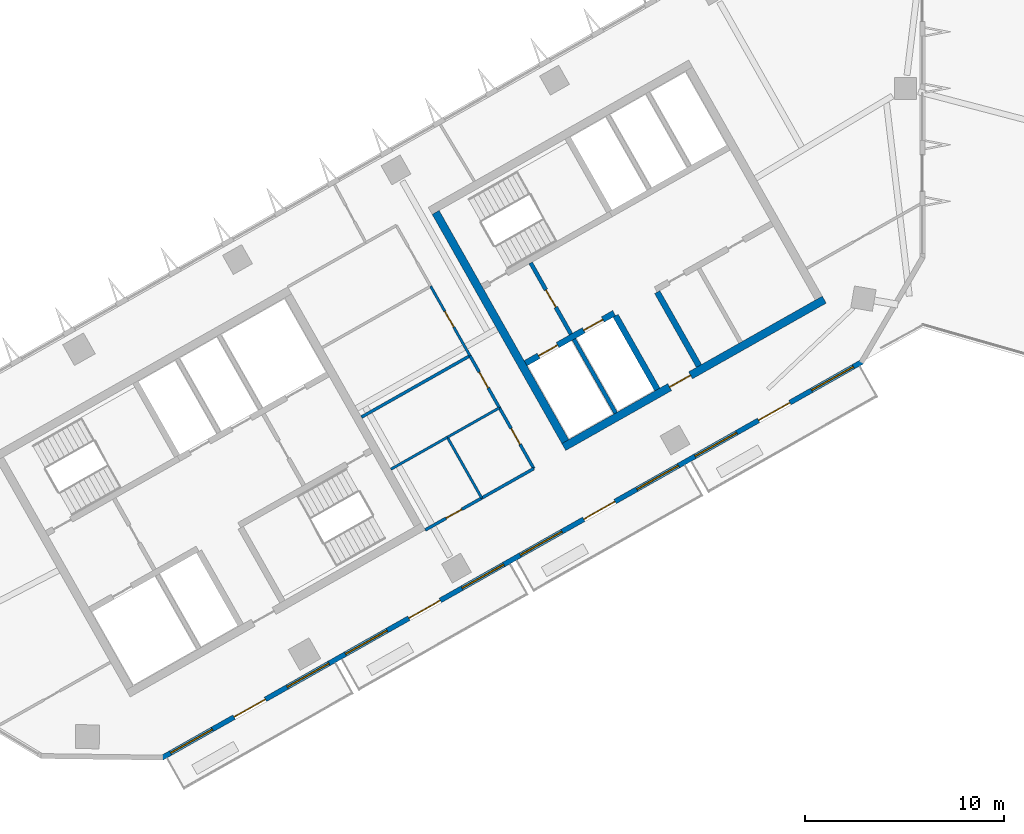
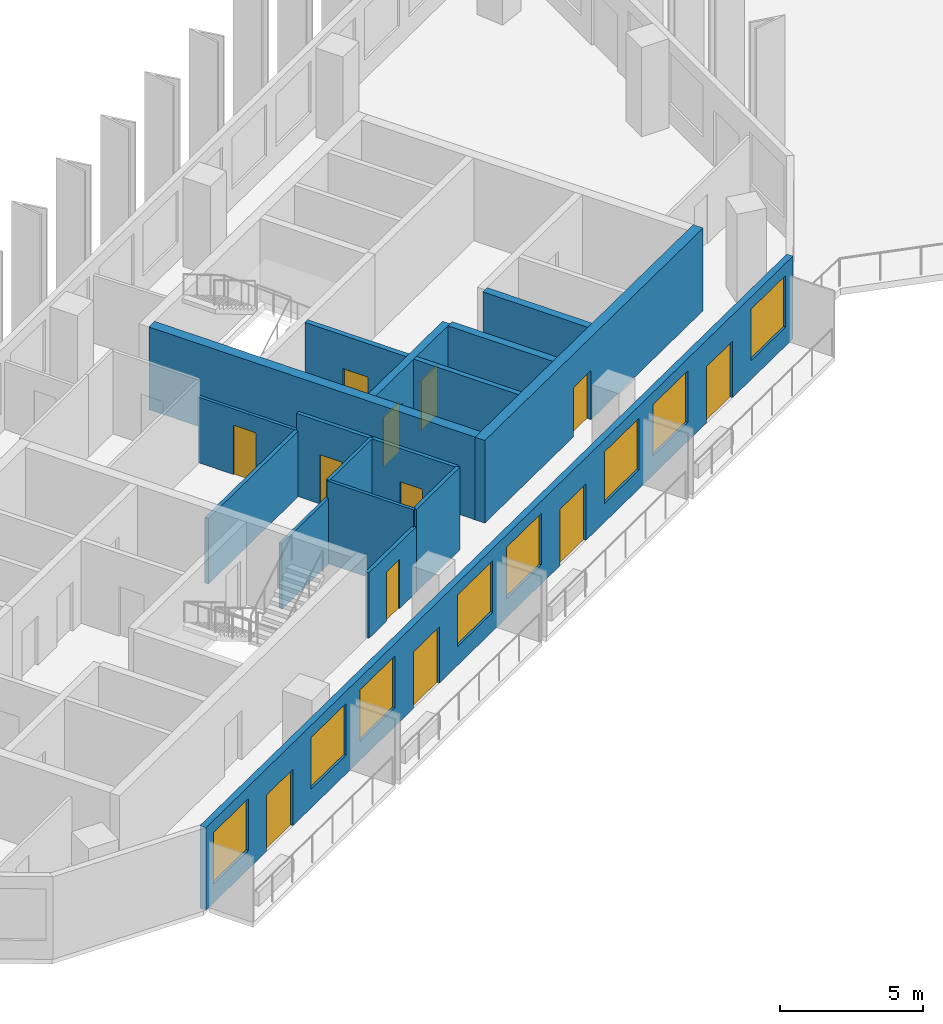
# One storey, part 4 of 8: 17 walls, 12 doors, 8 windows, 20 openings.
"""IFC4 building model written with IfcOpenShell, lengths in metres."""

from ifc_helpers import new_model, si_unit, direction, frame, frame_2d, origin, place, context, subcontext, project, spatial, rectangle, extrude, material, layer, layer_set, type_object, element, fill, save


model = new_model("IFC4")

# Units and contexts
model_context = context("Model", 3, precision=1e-05, world=origin(), true_north=direction((0.0, 1.0)))
body_context = subcontext(model_context, "Body", "Model", "MODEL_VIEW")
ifc_project = project(units=[si_unit("LENGTHUNIT", "METRE"), si_unit("AREAUNIT", "SQUARE_METRE"), si_unit("VOLUMEUNIT", "CUBIC_METRE"), si_unit("PLANEANGLEUNIT", "RADIAN"), si_unit("MASSUNIT", "GRAM", prefix="KILO")], contexts=[model_context])

# Site, building, storey
site_placement = place(None, origin())
site = spatial("IfcSite", under=ifc_project, at=site_placement, CompositionType="ELEMENT")
building_placement = place(site_placement, origin())
building = spatial("IfcBuilding", under=site, at=building_placement, Name="Binnacle Exchange Tower", CompositionType="ELEMENT")
storey_placement = place(building_placement, frame((0.0, 0.0, 262.699951171875)))
storey = spatial("IfcBuildingStorey", under=building, at=storey_placement, Name="L58", CompositionType="ELEMENT", Elevation=262.699951171875)

# Wall, openings, doors
ifc_material_1 = material(Name="Concrete C70/85", Category="concrete")
ifc_layer_1 = layer(ifc_material_1, 0.300048828125)
ifc_layer_set_1 = layer_set([ifc_layer_1], Name="Core wall - front 300")
wall_type_1 = type_object("IfcWallType", Name="Core wall - front 300", PredefinedType="SOLIDWALL", material=ifc_layer_set_1)
wall_1_placement = place(storey_placement, frame((-19.89208984375, 46.2177734375, 0.0), z_axis=(0.0, 0.0, 1.0), x_axis=(0.870341639186, 0.492448404505, 0.0)))
wall_1 = element("IfcWall", 1, at=wall_1_placement, inside=storey, type_object=wall_type_1, Name="Core wall CRWC2", PredefinedType="SOLIDWALL", context=body_context, shape_type="SweptSolid", body=[
    extrude(rectangle(XDim=5.099853515625, YDim=0.300048828125, at=frame_2d((2.5498046875, 0.0))), origin(), (0.0, 0.0, 1.0), 3.52001953125),
])
opening_1_placement = place(wall_1_placement, frame((0.75, 0.0, 0.0)))
opening_1 = element("IfcOpeningElement", 2, at=opening_1_placement, cuts=wall_1, Name="Opening LD14", PredefinedType="OPENING", context=body_context, shape_type="SweptSolid", body=[
    extrude(rectangle(XDim=1.10009765625, YDim=2.10009765625, at=frame_2d((0.550048828125, 1.050048828125))), frame((0.0, 0.159912109375, 0.0), z_axis=(0.0, -1.0, 0.0), x_axis=(1.0, 0.0, 0.0)), (0.0, 0.0, 1.0), 0.320068359375),
])
opening_2_placement = place(wall_1_placement, frame((3.35009765625, 0.0, 0.0)))
opening_2 = element("IfcOpeningElement", 3, at=opening_2_placement, cuts=wall_1, Name="Opening LD11", PredefinedType="OPENING", context=body_context, shape_type="SweptSolid", body=[
    extrude(rectangle(XDim=1.10009765625, YDim=2.10009765625, at=frame_2d((0.550048828125, 1.050048828125))), frame((0.0, 0.159912109375, 0.0), z_axis=(0.0, -1.0, 0.0), x_axis=(1.0, 0.0, 0.0)), (0.0, 0.0, 1.0), 0.320068359375),
])
ifc_material_2 = material(Name="Steel door leaf", Category="steel")
door_type_1 = type_object("IfcDoorType", Name="Fire door - lift landing 1100", OperationType="NOTDEFINED", PredefinedType="DOOR", material=ifc_material_2)
door_1_placement = place(opening_1_placement, origin())
door_1 = element("IfcDoor", 4, at=door_1_placement, inside=storey, type_object=door_type_1, Name="Landing door LD14 L58", OperationType="DOUBLE_DOOR_SLIDING", OverallHeight=2.10009765625, OverallWidth=1.10009765625, PredefinedType="DOOR", context=body_context, shape_type="SweptSolid", body=[
    extrude(rectangle(XDim=1.10009765625, YDim=2.10009765625, at=frame_2d((0.550048828125, 1.050048828125))), frame((0.0, 0.02490234375, 0.0), z_axis=(0.0, -1.0, 0.0), x_axis=(1.0, 0.0, 0.0)), (0.0, 0.0, 1.0), 0.050048828125),
])
fill(opening_1, door_1)
door_2_placement = place(opening_2_placement, origin())
door_2 = element("IfcDoor", 5, at=door_2_placement, inside=storey, type_object=door_type_1, Name="Landing door LD11 L58", OperationType="DOUBLE_DOOR_SLIDING", OverallHeight=2.10009765625, OverallWidth=1.10009765625, PredefinedType="DOOR", context=body_context, shape_type="SweptSolid", body=[
    extrude(rectangle(XDim=1.10009765625, YDim=2.10009765625, at=frame_2d((0.550048828125, 1.050048828125))), frame((0.0, 0.02490234375, 0.0), z_axis=(0.0, -1.0, 0.0), x_axis=(1.0, 0.0, 0.0)), (0.0, 0.0, 1.0), 0.050048828125),
])
fill(opening_2, door_2)

# Walls
wall_2_placement = place(storey_placement, frame((-15.37939453125, 48.5986328125, 0.0), z_axis=(0.0, 0.0, 1.0), x_axis=(0.492422543467, -0.870356271124, 0.0)))
element("IfcWall", 6, at=wall_2_placement, inside=storey, type_object=wall_type_1, Name="Core wall CRWC13", PredefinedType="SOLIDWALL", context=body_context, shape_type="SweptSolid", body=[
    extrude(rectangle(XDim=4.25, YDim=0.300048828125, at=frame_2d((2.125, 0.0))), origin(), (0.0, 0.0, 1.0), 3.52001953125),
])
wall_3_placement = place(storey_placement, frame((-13.29052734375, 49.780517578125, 0.0), z_axis=(0.0, 0.0, 1.0), x_axis=(0.492397924348, -0.870370199454, 0.0)))
element("IfcWall", 7, at=wall_3_placement, inside=storey, type_object=wall_type_1, Name="Core wall CRWC15", PredefinedType="SOLIDWALL", context=body_context, shape_type="SweptSolid", body=[
    extrude(rectangle(XDim=4.250244140625, YDim=0.300048828125, at=frame_2d((2.125, 0.0))), origin(), (0.0, 0.0, 1.0), 3.52001953125),
])

# Wall, opening, door
ifc_layer_2 = layer(ifc_material_1, 0.39990234375)
ifc_layer_set_2 = layer_set([ifc_layer_2], Name="Core wall - outer 400")
wall_type_2 = type_object("IfcWallType", Name="Core wall - outer 400", PredefinedType="SOLIDWALL", material=ifc_layer_set_2)
wall_4_placement = place(storey_placement, frame((-17.97509765625, 42.01708984375, 0.0), z_axis=(0.0, 0.0, 1.0), x_axis=(0.87034965173, 0.492434243055, 0.0)))
wall_4 = element("IfcWall", 8, at=wall_4_placement, inside=storey, type_object=wall_type_2, Name="Core wall CRWC1", PredefinedType="SOLIDWALL", context=body_context, shape_type="SweptSolid", body=[
    extrude(rectangle(XDim=15.0, YDim=0.39990234375, at=frame_2d((7.5, 0.0))), origin(), (0.0, 0.0, 1.0), 3.52001953125),
])
opening_3_placement = place(wall_4_placement, frame((6.10009765625, 0.0, 0.0)))
opening_3 = element("IfcOpeningElement", 9, at=opening_3_placement, cuts=wall_4, Name="Opening DC7", PredefinedType="OPENING", context=body_context, shape_type="SweptSolid", body=[
    extrude(rectangle(XDim=1.199951171875, YDim=2.10009765625, at=frame_2d((0.60009765625, 1.050048828125))), frame((0.0, 0.2099609375, 0.0), z_axis=(0.0, -1.0, 0.0), x_axis=(1.0, 0.0, 0.0)), (0.0, 0.0, 1.0), 0.419921875),
])
door_type_2 = type_object("IfcDoorType", Name="Fire door 1200", OperationType="NOTDEFINED", PredefinedType="DOOR", material=ifc_material_2)
door_3_placement = place(opening_3_placement, frame((1.199951171875, 0.0, 0.0), z_axis=(0.0, 0.0, 1.0), x_axis=(-1.0, 0.0, 0.0)))
door_3 = element("IfcDoor", 10, at=door_3_placement, inside=storey, type_object=door_type_2, Name="Lift lobby entrance door core C", OperationType="SINGLE_SWING_RIGHT", OverallHeight=2.10009765625, OverallWidth=1.199951171875, PredefinedType="DOOR", context=body_context, shape_type="SweptSolid", body=[
    extrude(rectangle(XDim=1.199951171875, YDim=2.10009765625, at=frame_2d((0.60009765625, 1.050048828125))), frame((0.0, 0.02490234375, 0.0), z_axis=(0.0, -1.0, 0.0), x_axis=(1.0, 0.0, 0.0)), (0.0, 0.0, 1.0), 0.050048828125),
])
fill(opening_3, door_3)

# Wall
wall_5_placement = place(storey_placement, frame((-24.399658203125, 53.778564453125, 0.0), z_axis=(0.0, 0.0, 1.0), x_axis=(0.492421663121, -0.870356769198, 0.0)))
element("IfcWall", 11, at=wall_5_placement, inside=storey, type_object=wall_type_2, Name="Core wall CRWC7", PredefinedType="SOLIDWALL", context=body_context, shape_type="SweptSolid", body=[
    extrude(rectangle(XDim=13.199951171875, YDim=0.39990234375, at=frame_2d((6.60009765625, 0.0))), origin(), (0.0, 0.0, 1.0), 3.52001953125),
])

# Wall, openings, doors, windows
ifc_material_3 = material(Name="Bronze aluminium cladding", Category="aluminium")
ifc_layer_3 = layer(ifc_material_3, 0.25)
ifc_layer_set_3 = layer_set([ifc_layer_3], Name="External wall - window wall 250")
wall_type_3 = type_object("IfcWallType", Name="External wall - window wall 250", PredefinedType="STANDARD", material=ifc_layer_set_3)
wall_6_placement = place(storey_placement, frame((-3.016845703125, 46.293212890625, 0.0), z_axis=(0.0, 0.0, 1.0), x_axis=(-0.870355474887, -0.492423950812, 0.0)))
wall_6 = element("IfcWall", 12, at=wall_6_placement, inside=storey, type_object=wall_type_3, Name="External wall EW-H07 L58", PredefinedType="STANDARD", context=body_context, shape_type="SweptSolid", body=[
    extrude(rectangle(XDim=40.34033203125, YDim=0.25, at=frame_2d((20.170166015625, 0.0))), origin(), (0.0, 0.0, 1.0), 3.52001953125),
])
opening_4_placement = place(wall_6_placement, frame((37.428466796875, 0.0, 0.800048828125)))
opening_4 = element("IfcOpeningElement", 13, at=opening_4_placement, cuts=wall_6, Name="Opening WR2", PredefinedType="OPENING", context=body_context, shape_type="SweptSolid", body=[
    extrude(rectangle(XDim=2.39990234375, YDim=2.199951171875, at=frame_2d((1.199951171875, 1.10009765625))), frame((0.0, 0.135009765625, 0.0), z_axis=(0.0, -1.0, 0.0), x_axis=(1.0, 0.0, 0.0)), (0.0, 0.0, 1.0), 0.27001953125),
])
opening_5_placement = place(wall_6_placement, frame((34.372314453125, 0.0, 0.0)))
opening_5 = element("IfcOpeningElement", 14, at=opening_5_placement, cuts=wall_6, Name="Opening D-FS17-03", PredefinedType="OPENING", context=body_context, shape_type="SweptSolid", body=[
    extrude(rectangle(XDim=1.800048828125, YDim=2.39990234375, at=frame_2d((0.89990234375, 1.199951171875))), frame((0.0, 0.135009765625, 0.0), z_axis=(0.0, -1.0, 0.0), x_axis=(1.0, 0.0, 0.0)), (0.0, 0.0, 1.0), 0.27001953125),
])
opening_6_placement = place(wall_6_placement, frame((30.71630859375, 0.0, 0.800048828125)))
opening_6 = element("IfcOpeningElement", 15, at=opening_6_placement, cuts=wall_6, Name="Opening WR2", PredefinedType="OPENING", context=body_context, shape_type="SweptSolid", body=[
    extrude(rectangle(XDim=2.39990234375, YDim=2.199951171875, at=frame_2d((1.199951171875, 1.10009765625))), frame((0.0, 0.135009765625, 0.0), z_axis=(0.0, -1.0, 0.0), x_axis=(1.0, 0.0, 0.0)), (0.0, 0.0, 1.0), 0.27001953125),
])
opening_7_placement = place(wall_6_placement, frame((27.3603515625, 0.0, 0.800048828125)))
opening_7 = element("IfcOpeningElement", 16, at=opening_7_placement, cuts=wall_6, Name="Opening WR2", PredefinedType="OPENING", context=body_context, shape_type="SweptSolid", body=[
    extrude(rectangle(XDim=2.39990234375, YDim=2.199951171875, at=frame_2d((1.199951171875, 1.10009765625))), frame((0.0, 0.135009765625, 0.0), z_axis=(0.0, -1.0, 0.0), x_axis=(1.0, 0.0, 0.0)), (0.0, 0.0, 1.0), 0.27001953125),
])
opening_8_placement = place(wall_6_placement, frame((24.30419921875, 0.0, 0.0)))
opening_8 = element("IfcOpeningElement", 17, at=opening_8_placement, cuts=wall_6, Name="Opening D-FS17-04", PredefinedType="OPENING", context=body_context, shape_type="SweptSolid", body=[
    extrude(rectangle(XDim=1.800048828125, YDim=2.39990234375, at=frame_2d((0.89990234375, 1.199951171875))), frame((0.0, 0.135009765625, 0.0), z_axis=(0.0, -1.0, 0.0), x_axis=(1.0, 0.0, 0.0)), (0.0, 0.0, 1.0), 0.27001953125),
])
opening_9_placement = place(wall_6_placement, frame((20.648193359375, 0.0, 0.800048828125)))
opening_9 = element("IfcOpeningElement", 18, at=opening_9_placement, cuts=wall_6, Name="Opening WR2", PredefinedType="OPENING", context=body_context, shape_type="SweptSolid", body=[
    extrude(rectangle(XDim=2.39990234375, YDim=2.199951171875, at=frame_2d((1.199951171875, 1.10009765625))), frame((0.0, 0.135009765625, 0.0), z_axis=(0.0, -1.0, 0.0), x_axis=(1.0, 0.0, 0.0)), (0.0, 0.0, 1.0), 0.27001953125),
])
opening_10_placement = place(wall_6_placement, frame((17.2919921875, 0.0, 0.800048828125)))
opening_10 = element("IfcOpeningElement", 19, at=opening_10_placement, cuts=wall_6, Name="Opening WR2", PredefinedType="OPENING", context=body_context, shape_type="SweptSolid", body=[
    extrude(rectangle(XDim=2.39990234375, YDim=2.199951171875, at=frame_2d((1.199951171875, 1.10009765625))), frame((0.0, 0.135009765625, 0.0), z_axis=(0.0, -1.0, 0.0), x_axis=(1.0, 0.0, 0.0)), (0.0, 0.0, 1.0), 0.27001953125),
])
opening_11_placement = place(wall_6_placement, frame((14.236083984375, 0.0, 0.0)))
opening_11 = element("IfcOpeningElement", 20, at=opening_11_placement, cuts=wall_6, Name="Opening D-FS17-05", PredefinedType="OPENING", context=body_context, shape_type="SweptSolid", body=[
    extrude(rectangle(XDim=1.800048828125, YDim=2.39990234375, at=frame_2d((0.89990234375, 1.199951171875))), frame((0.0, 0.135009765625, 0.0), z_axis=(0.0, -1.0, 0.0), x_axis=(1.0, 0.0, 0.0)), (0.0, 0.0, 1.0), 0.27001953125),
])
opening_12_placement = place(wall_6_placement, frame((10.580078125, 0.0, 0.800048828125)))
opening_12 = element("IfcOpeningElement", 21, at=opening_12_placement, cuts=wall_6, Name="Opening WR2", PredefinedType="OPENING", context=body_context, shape_type="SweptSolid", body=[
    extrude(rectangle(XDim=2.39990234375, YDim=2.199951171875, at=frame_2d((1.199951171875, 1.10009765625))), frame((0.0, 0.135009765625, 0.0), z_axis=(0.0, -1.0, 0.0), x_axis=(1.0, 0.0, 0.0)), (0.0, 0.0, 1.0), 0.27001953125),
])
opening_13_placement = place(wall_6_placement, frame((7.223876953125, 0.0, 0.800048828125)))
opening_13 = element("IfcOpeningElement", 22, at=opening_13_placement, cuts=wall_6, Name="Opening WR2", PredefinedType="OPENING", context=body_context, shape_type="SweptSolid", body=[
    extrude(rectangle(XDim=2.39990234375, YDim=2.199951171875, at=frame_2d((1.199951171875, 1.10009765625))), frame((0.0, 0.135009765625, 0.0), z_axis=(0.0, -1.0, 0.0), x_axis=(1.0, 0.0, 0.0)), (0.0, 0.0, 1.0), 0.27001953125),
])
opening_14_placement = place(wall_6_placement, frame((4.16796875, 0.0, 0.0)))
opening_14 = element("IfcOpeningElement", 23, at=opening_14_placement, cuts=wall_6, Name="Opening D-FS17-06", PredefinedType="OPENING", context=body_context, shape_type="SweptSolid", body=[
    extrude(rectangle(XDim=1.800048828125, YDim=2.39990234375, at=frame_2d((0.89990234375, 1.199951171875))), frame((0.0, 0.135009765625, 0.0), z_axis=(0.0, -1.0, 0.0), x_axis=(1.0, 0.0, 0.0)), (0.0, 0.0, 1.0), 0.27001953125),
])
opening_15_placement = place(wall_6_placement, frame((0.51171875, 0.0, 0.800048828125)))
opening_15 = element("IfcOpeningElement", 24, at=opening_15_placement, cuts=wall_6, Name="Opening WR2", PredefinedType="OPENING", context=body_context, shape_type="SweptSolid", body=[
    extrude(rectangle(XDim=2.39990234375, YDim=2.199951171875, at=frame_2d((1.199951171875, 1.10009765625))), frame((0.0, 0.135009765625, 0.0), z_axis=(0.0, -1.0, 0.0), x_axis=(1.0, 0.0, 0.0)), (0.0, 0.0, 1.0), 0.27001953125),
])
ifc_material_4 = material(Name="Bronze anodised aluminium frame", Category="aluminium")
door_type_3 = type_object("IfcDoorType", Name="DB DOOR 1800x2400", OperationType="DOUBLE_DOOR_SINGLE_SWING", PredefinedType="DOOR", material=ifc_material_4)
door_4_placement = place(opening_5_placement, origin())
door_4 = element("IfcDoor", 25, at=door_4_placement, inside=storey, type_object=door_type_3, Name="Door D-FS17-03 L58", OperationType="DOUBLE_DOOR_SINGLE_SWING", OverallHeight=2.39990234375, OverallWidth=1.800048828125, PredefinedType="DOOR", context=body_context, shape_type="SweptSolid", body=[
    extrude(rectangle(XDim=1.800048828125, YDim=2.39990234375, at=frame_2d((0.89990234375, 1.199951171875))), frame((0.0, 0.02490234375, 0.0), z_axis=(0.0, -1.0, 0.0), x_axis=(1.0, 0.0, 0.0)), (0.0, 0.0, 1.0), 0.050048828125),
])
fill(opening_5, door_4)
door_5_placement = place(opening_8_placement, origin())
door_5 = element("IfcDoor", 26, at=door_5_placement, inside=storey, type_object=door_type_3, Name="Door D-FS17-04 L58", OperationType="DOUBLE_DOOR_SINGLE_SWING", OverallHeight=2.39990234375, OverallWidth=1.800048828125, PredefinedType="DOOR", context=body_context, shape_type="SweptSolid", body=[
    extrude(rectangle(XDim=1.800048828125, YDim=2.39990234375, at=frame_2d((0.89990234375, 1.199951171875))), frame((0.0, 0.02490234375, 0.0), z_axis=(0.0, -1.0, 0.0), x_axis=(1.0, 0.0, 0.0)), (0.0, 0.0, 1.0), 0.050048828125),
])
fill(opening_8, door_5)
door_6_placement = place(opening_11_placement, origin())
door_6 = element("IfcDoor", 27, at=door_6_placement, inside=storey, type_object=door_type_3, Name="Door D-FS17-05 L58", OperationType="DOUBLE_DOOR_SINGLE_SWING", OverallHeight=2.39990234375, OverallWidth=1.800048828125, PredefinedType="DOOR", context=body_context, shape_type="SweptSolid", body=[
    extrude(rectangle(XDim=1.800048828125, YDim=2.39990234375, at=frame_2d((0.89990234375, 1.199951171875))), frame((0.0, 0.02490234375, 0.0), z_axis=(0.0, -1.0, 0.0), x_axis=(1.0, 0.0, 0.0)), (0.0, 0.0, 1.0), 0.050048828125),
])
fill(opening_11, door_6)
door_7_placement = place(opening_14_placement, origin())
door_7 = element("IfcDoor", 28, at=door_7_placement, inside=storey, type_object=door_type_3, Name="Door D-FS17-06 L58", OperationType="DOUBLE_DOOR_SINGLE_SWING", OverallHeight=2.39990234375, OverallWidth=1.800048828125, PredefinedType="DOOR", context=body_context, shape_type="SweptSolid", body=[
    extrude(rectangle(XDim=1.800048828125, YDim=2.39990234375, at=frame_2d((0.89990234375, 1.199951171875))), frame((0.0, 0.02490234375, 0.0), z_axis=(0.0, -1.0, 0.0), x_axis=(1.0, 0.0, 0.0)), (0.0, 0.0, 1.0), 0.050048828125),
])
fill(opening_14, door_7)
window_type = type_object("IfcWindowType", Name="WR2 WINDOW 2400x2200", PartitioningType="SINGLE_PANEL", PredefinedType="WINDOW", material=ifc_material_4)
window_1_placement = place(opening_4_placement, origin())
window_1 = element("IfcWindow", 29, at=window_1_placement, inside=storey, type_object=window_type, Name="Window WR2 L58", OverallHeight=2.199951171875, OverallWidth=2.39990234375, PartitioningType="SINGLE_PANEL", PredefinedType="WINDOW", context=body_context, shape_type="SweptSolid", body=[
    extrude(rectangle(XDim=2.39990234375, YDim=2.199951171875, at=frame_2d((1.199951171875, 1.10009765625))), frame((0.0, 0.030029296875, 0.0), z_axis=(0.0, -1.0, 0.0), x_axis=(1.0, 0.0, 0.0)), (0.0, 0.0, 1.0), 0.06005859375),
])
fill(opening_4, window_1)
window_2_placement = place(opening_6_placement, origin())
window_2 = element("IfcWindow", 30, at=window_2_placement, inside=storey, type_object=window_type, Name="Window WR2 L58", OverallHeight=2.199951171875, OverallWidth=2.39990234375, PartitioningType="SINGLE_PANEL", PredefinedType="WINDOW", context=body_context, shape_type="SweptSolid", body=[
    extrude(rectangle(XDim=2.39990234375, YDim=2.199951171875, at=frame_2d((1.199951171875, 1.10009765625))), frame((0.0, 0.030029296875, 0.0), z_axis=(0.0, -1.0, 0.0), x_axis=(1.0, 0.0, 0.0)), (0.0, 0.0, 1.0), 0.06005859375),
])
fill(opening_6, window_2)
window_3_placement = place(opening_7_placement, origin())
window_3 = element("IfcWindow", 31, at=window_3_placement, inside=storey, type_object=window_type, Name="Window WR2 L58", OverallHeight=2.199951171875, OverallWidth=2.39990234375, PartitioningType="SINGLE_PANEL", PredefinedType="WINDOW", context=body_context, shape_type="SweptSolid", body=[
    extrude(rectangle(XDim=2.39990234375, YDim=2.199951171875, at=frame_2d((1.199951171875, 1.10009765625))), frame((0.0, 0.030029296875, 0.0), z_axis=(0.0, -1.0, 0.0), x_axis=(1.0, 0.0, 0.0)), (0.0, 0.0, 1.0), 0.06005859375),
])
fill(opening_7, window_3)
window_4_placement = place(opening_9_placement, origin())
window_4 = element("IfcWindow", 32, at=window_4_placement, inside=storey, type_object=window_type, Name="Window WR2 L58", OverallHeight=2.199951171875, OverallWidth=2.39990234375, PartitioningType="SINGLE_PANEL", PredefinedType="WINDOW", context=body_context, shape_type="SweptSolid", body=[
    extrude(rectangle(XDim=2.39990234375, YDim=2.199951171875, at=frame_2d((1.199951171875, 1.10009765625))), frame((0.0, 0.030029296875, 0.0), z_axis=(0.0, -1.0, 0.0), x_axis=(1.0, 0.0, 0.0)), (0.0, 0.0, 1.0), 0.06005859375),
])
fill(opening_9, window_4)
window_5_placement = place(opening_10_placement, origin())
window_5 = element("IfcWindow", 33, at=window_5_placement, inside=storey, type_object=window_type, Name="Window WR2 L58", OverallHeight=2.199951171875, OverallWidth=2.39990234375, PartitioningType="SINGLE_PANEL", PredefinedType="WINDOW", context=body_context, shape_type="SweptSolid", body=[
    extrude(rectangle(XDim=2.39990234375, YDim=2.199951171875, at=frame_2d((1.199951171875, 1.10009765625))), frame((0.0, 0.030029296875, 0.0), z_axis=(0.0, -1.0, 0.0), x_axis=(1.0, 0.0, 0.0)), (0.0, 0.0, 1.0), 0.06005859375),
])
fill(opening_10, window_5)
window_6_placement = place(opening_12_placement, origin())
window_6 = element("IfcWindow", 34, at=window_6_placement, inside=storey, type_object=window_type, Name="Window WR2 L58", OverallHeight=2.199951171875, OverallWidth=2.39990234375, PartitioningType="SINGLE_PANEL", PredefinedType="WINDOW", context=body_context, shape_type="SweptSolid", body=[
    extrude(rectangle(XDim=2.39990234375, YDim=2.199951171875, at=frame_2d((1.199951171875, 1.10009765625))), frame((0.0, 0.030029296875, 0.0), z_axis=(0.0, -1.0, 0.0), x_axis=(1.0, 0.0, 0.0)), (0.0, 0.0, 1.0), 0.06005859375),
])
fill(opening_12, window_6)
window_7_placement = place(opening_13_placement, origin())
window_7 = element("IfcWindow", 35, at=window_7_placement, inside=storey, type_object=window_type, Name="Window WR2 L58", OverallHeight=2.199951171875, OverallWidth=2.39990234375, PartitioningType="SINGLE_PANEL", PredefinedType="WINDOW", context=body_context, shape_type="SweptSolid", body=[
    extrude(rectangle(XDim=2.39990234375, YDim=2.199951171875, at=frame_2d((1.199951171875, 1.10009765625))), frame((0.0, 0.030029296875, 0.0), z_axis=(0.0, -1.0, 0.0), x_axis=(1.0, 0.0, 0.0)), (0.0, 0.0, 1.0), 0.06005859375),
])
fill(opening_13, window_7)
window_8_placement = place(opening_15_placement, origin())
window_8 = element("IfcWindow", 36, at=window_8_placement, inside=storey, type_object=window_type, Name="Window WR2 L58", OverallHeight=2.199951171875, OverallWidth=2.39990234375, PartitioningType="SINGLE_PANEL", PredefinedType="WINDOW", context=body_context, shape_type="SweptSolid", body=[
    extrude(rectangle(XDim=2.39990234375, YDim=2.199951171875, at=frame_2d((1.199951171875, 1.10009765625))), frame((0.0, 0.030029296875, 0.0), z_axis=(0.0, -1.0, 0.0), x_axis=(1.0, 0.0, 0.0)), (0.0, 0.0, 1.0), 0.06005859375),
])
fill(opening_15, window_8)

# Wall, opening, door
ifc_material_5 = material(Name="Masonry block wall", Category="masonry")
ifc_layer_4 = layer(ifc_material_5, 0.199951171875)
ifc_layer_set_4 = layer_set([ifc_layer_4], Name="Fire wall - vestibule 200")
wall_type_4 = type_object("IfcWallType", Name="Fire wall - vestibule 200", PredefinedType="PARTITIONING", material=ifc_layer_set_4)
wall_7_placement = place(storey_placement, frame((-19.635009765625, 51.246337890625, 0.0), z_axis=(0.0, 0.0, 1.0), x_axis=(0.492408451753, -0.87036424366, 0.0)))
wall_7 = element("IfcWall", 37, at=wall_7_placement, inside=storey, type_object=wall_type_4, Name="Core wall CRWC10", PredefinedType="PARTITIONING", context=body_context, shape_type="SweptSolid", body=[
    extrude(rectangle(XDim=4.099853515625, YDim=0.199951171875, at=frame_2d((2.0498046875, 0.0))), origin(), (0.0, 0.0, 1.0), 3.52001953125),
])
opening_16_placement = place(wall_7_placement, frame((1.550048828125, 0.0, 0.0)))
opening_16 = element("IfcOpeningElement", 38, at=opening_16_placement, cuts=wall_7, Name="Opening DC3", PredefinedType="OPENING", context=body_context, shape_type="SweptSolid", body=[
    extrude(rectangle(XDim=1.0, YDim=2.10009765625, at=frame_2d((0.5, 1.050048828125))), frame((0.0, 0.10986328125, 0.0), z_axis=(0.0, -1.0, 0.0), x_axis=(1.0, 0.0, 0.0)), (0.0, 0.0, 1.0), 0.219970703125),
])
door_type_4 = type_object("IfcDoorType", Name="Fire door 1000", OperationType="NOTDEFINED", PredefinedType="DOOR", material=ifc_material_2)
door_8_placement = place(opening_16_placement, frame((1.0, 0.0, 0.0), z_axis=(0.0, 0.0, 1.0), x_axis=(-1.0, 0.0, 0.0)))
door_8 = element("IfcDoor", 39, at=door_8_placement, inside=storey, type_object=door_type_4, Name="Vestibule door VEST-W", OperationType="SINGLE_SWING_RIGHT", OverallHeight=2.10009765625, OverallWidth=1.0, PredefinedType="DOOR", context=body_context, shape_type="SweptSolid", body=[
    extrude(rectangle(XDim=1.0, YDim=2.10009765625, at=frame_2d((0.5, 1.050048828125))), frame((0.0, 0.02490234375, 0.0), z_axis=(0.0, -1.0, 0.0), x_axis=(1.0, 0.0, 0.0)), (0.0, 0.0, 1.0), 0.050048828125),
])
fill(opening_16, door_8)

# Wall
ifc_material_6 = material(Name="Gypsum partition fire rated")
ifc_layer_5 = layer(ifc_material_6, 0.14990234375)
ifc_layer_set_5 = layer_set([ifc_layer_5], Name="Fire-rated partition 150")
wall_type_5 = type_object("IfcWallType", Name="Fire-rated partition 150", PredefinedType="PARTITIONING", material=ifc_layer_set_5)
wall_8_placement = place(storey_placement, frame((-28.118896484375, 43.51611328125, 0.0), z_axis=(0.0, 0.0, 1.0), x_axis=(0.870310250913, 0.49250387527, 0.0)))
element("IfcWall", 40, at=wall_8_placement, inside=storey, type_object=wall_type_5, Name="Partition W06", PredefinedType="PARTITIONING", context=body_context, shape_type="SweptSolid", body=[
    extrude(rectangle(XDim=6.24951171875, YDim=0.14990234375, at=frame_2d((3.124755859375, 0.0))), origin(), (0.0, 0.0, 1.0), 2.7919921875),
])

# Wall, opening, door
wall_9_placement = place(storey_placement, frame((-24.9189453125, 37.85888671875, 0.0), z_axis=(0.0, 0.0, 1.0), x_axis=(0.870407498556, 0.49233198805, 0.0)))
wall_9 = element("IfcWall", 41, at=wall_9_placement, inside=storey, type_object=wall_type_5, Name="Partition W10", PredefinedType="PARTITIONING", context=body_context, shape_type="SweptSolid", body=[
    extrude(rectangle(XDim=3.25, YDim=0.14990234375, at=frame_2d((1.625, 0.0))), origin(), (0.0, 0.0, 1.0), 2.7919921875),
])
opening_17_placement = place(wall_9_placement, frame((1.199951171875, 0.0, 0.0)))
opening_17 = element("IfcOpeningElement", 42, at=opening_17_placement, cuts=wall_9, Name="Opening DL58-03", PredefinedType="OPENING", context=body_context, shape_type="SweptSolid", body=[
    extrude(rectangle(XDim=0.89990234375, YDim=2.10009765625, at=frame_2d((0.449951171875, 1.050048828125))), frame((0.0, 0.0849609375, 0.0), z_axis=(0.0, -1.0, 0.0), x_axis=(1.0, 0.0, 0.0)), (0.0, 0.0, 1.0), 0.169921875),
])
door_type_5 = type_object("IfcDoorType", Name="Fire door 900", OperationType="NOTDEFINED", PredefinedType="DOOR", material=ifc_material_2)
door_9_placement = place(opening_17_placement, origin())
door_9 = element("IfcDoor", 43, at=door_9_placement, inside=storey, type_object=door_type_5, Name="Door DL58-03", OperationType="SINGLE_SWING_RIGHT", OverallHeight=2.10009765625, OverallWidth=0.89990234375, PredefinedType="DOOR", context=body_context, shape_type="SweptSolid", body=[
    extrude(rectangle(XDim=0.89990234375, YDim=2.10009765625, at=frame_2d((0.449951171875, 1.050048828125))), frame((0.0, 0.02490234375, 0.0), z_axis=(0.0, -1.0, 0.0), x_axis=(1.0, 0.0, 0.0)), (0.0, 0.0, 1.0), 0.050048828125),
])
fill(opening_17, door_9)

wall_10_placement = place(storey_placement, frame((-22.679931640625, 46.593994140625, 0.0), z_axis=(0.0, 0.0, 1.0), x_axis=(0.492612172641, -0.870248957119, 0.0)))
wall_10 = element("IfcWall", 44, at=wall_10_placement, inside=storey, type_object=wall_type_5, Name="Partition W15", PredefinedType="PARTITIONING", context=body_context, shape_type="SweptSolid", body=[
    extrude(rectangle(XDim=3.00048828125, YDim=0.14990234375, at=frame_2d((1.500244140625, 0.0))), origin(), (0.0, 0.0, 1.0), 3.52001953125),
])
opening_18_placement = place(wall_10_placement, frame((0.949951171875, 0.0, 0.0)))
opening_18 = element("IfcOpeningElement", 45, at=opening_18_placement, cuts=wall_10, Name="Opening DL58-05", PredefinedType="OPENING", context=body_context, shape_type="SweptSolid", body=[
    extrude(rectangle(XDim=0.89990234375, YDim=2.10009765625, at=frame_2d((0.449951171875, 1.050048828125))), frame((0.0, 0.0849609375, 0.0), z_axis=(0.0, -1.0, 0.0), x_axis=(1.0, 0.0, 0.0)), (0.0, 0.0, 1.0), 0.169921875),
])
door_10_placement = place(opening_18_placement, frame((0.89990234375, 0.0, 0.0), z_axis=(0.0, 0.0, 1.0), x_axis=(-1.0, 0.0, 0.0)))
door_10 = element("IfcDoor", 46, at=door_10_placement, inside=storey, type_object=door_type_5, Name="Door DL58-05", OperationType="SINGLE_SWING_RIGHT", OverallHeight=2.10009765625, OverallWidth=0.89990234375, PredefinedType="DOOR", context=body_context, shape_type="SweptSolid", body=[
    extrude(rectangle(XDim=0.89990234375, YDim=2.10009765625, at=frame_2d((0.449951171875, 1.050048828125))), frame((0.0, 0.02490234375, 0.0), z_axis=(0.0, -1.0, 0.0), x_axis=(1.0, 0.0, 0.0)), (0.0, 0.0, 1.0), 0.050048828125),
])
fill(opening_18, door_10)

# Wall
wall_11_placement = place(storey_placement, frame((-22.090087890625, 39.458984375, 0.0), z_axis=(0.0, 0.0, 1.0), x_axis=(0.870248957119, 0.492612172641, 0.0)))
element("IfcWall", 47, at=wall_11_placement, inside=storey, type_object=wall_type_5, Name="Partition W16", PredefinedType="PARTITIONING", context=body_context, shape_type="SweptSolid", body=[
    extrude(rectangle(XDim=3.00048828125, YDim=0.14990234375, at=frame_2d((1.500244140625, 0.0))), origin(), (0.0, 0.0, 1.0), 3.52001953125),
])

# Wall, opening, door
wall_12_placement = place(storey_placement, frame((-21.201904296875, 43.98291015625, 0.0), z_axis=(0.0, 0.0, 1.0), x_axis=(0.492339993675, -0.870402970255, 0.0)))
wall_12 = element("IfcWall", 48, at=wall_12_placement, inside=storey, type_object=wall_type_5, Name="Partition W17", PredefinedType="PARTITIONING", context=body_context, shape_type="SweptSolid", body=[
    extrude(rectangle(XDim=3.49951171875, YDim=0.14990234375, at=frame_2d((1.749755859375, 0.0))), origin(), (0.0, 0.0, 1.0), 3.52001953125),
])
opening_19_placement = place(wall_12_placement, frame((1.199951171875, 0.0, 0.0)))
opening_19 = element("IfcOpeningElement", 49, at=opening_19_placement, cuts=wall_12, Name="Opening DL58-04", PredefinedType="OPENING", context=body_context, shape_type="SweptSolid", body=[
    extrude(rectangle(XDim=0.89990234375, YDim=2.10009765625, at=frame_2d((0.449951171875, 1.050048828125))), frame((0.0, 0.0849609375, 0.0), z_axis=(0.0, -1.0, 0.0), x_axis=(1.0, 0.0, 0.0)), (0.0, 0.0, 1.0), 0.169921875),
])
door_11_placement = place(opening_19_placement, frame((0.89990234375, 0.0, 0.0), z_axis=(0.0, 0.0, 1.0), x_axis=(-1.0, 0.0, 0.0)))
door_11 = element("IfcDoor", 50, at=door_11_placement, inside=storey, type_object=door_type_5, Name="Door DL58-04", OperationType="SINGLE_SWING_RIGHT", OverallHeight=2.10009765625, OverallWidth=0.89990234375, PredefinedType="DOOR", context=body_context, shape_type="SweptSolid", body=[
    extrude(rectangle(XDim=0.89990234375, YDim=2.10009765625, at=frame_2d((0.449951171875, 1.050048828125))), frame((0.0, 0.02490234375, 0.0), z_axis=(0.0, -1.0, 0.0), x_axis=(1.0, 0.0, 0.0)), (0.0, 0.0, 1.0), 0.050048828125),
])
fill(opening_19, door_11)

# Wall
ifc_material_7 = material(Name="Gypsum partition")
ifc_layer_6 = layer(ifc_material_7, 0.125)
ifc_layer_set_6 = layer_set([ifc_layer_6], Name="Partition 125")
wall_type_6 = type_object("IfcWallType", Name="Partition 125", PredefinedType="PARTITIONING", material=ifc_layer_set_6)
wall_13_placement = place(storey_placement, frame((-26.64208984375, 40.905029296875, 0.0), z_axis=(0.0, 0.0, 1.0), x_axis=(0.870296945076, 0.492527387453, 0.0)))
element("IfcWall", 51, at=wall_13_placement, inside=storey, type_object=wall_type_6, Name="Partition W08", PredefinedType="PARTITIONING", context=body_context, shape_type="SweptSolid", body=[
    extrude(rectangle(XDim=3.250732421875, YDim=0.125, at=frame_2d((1.62548828125, 0.0))), origin(), (0.0, 0.0, 1.0), 2.7919921875),
])

# Wall, opening, door
wall_14_placement = place(storey_placement, frame((-24.64892578125, 50.074951171875, 0.0), z_axis=(0.0, 0.0, 1.0), x_axis=(0.492340861121, -0.870402479587, 0.0)))
wall_14 = element("IfcWall", 52, at=wall_14_placement, inside=storey, type_object=wall_type_6, Name="Partition W11", PredefinedType="PARTITIONING", context=body_context, shape_type="SweptSolid", body=[
    extrude(rectangle(XDim=3.999267578125, YDim=0.125, at=frame_2d((1.99951171875, 0.0))), origin(), (0.0, 0.0, 1.0), 2.7919921875),
])
opening_20_placement = place(wall_14_placement, frame((1.449951171875, 0.0, 0.0)))
opening_20 = element("IfcOpeningElement", 53, at=opening_20_placement, cuts=wall_14, Name="Opening DL58-06", PredefinedType="OPENING", context=body_context, shape_type="SweptSolid", body=[
    extrude(rectangle(XDim=0.89990234375, YDim=2.10009765625, at=frame_2d((0.449951171875, 1.050048828125))), frame((0.0, 0.072509765625, 0.0), z_axis=(0.0, -1.0, 0.0), x_axis=(1.0, 0.0, 0.0)), (0.0, 0.0, 1.0), 0.14501953125),
])
ifc_material_8 = material(Name="Timber door leaf", Category="wood")
door_type_6 = type_object("IfcDoorType", Name="Door 900", OperationType="NOTDEFINED", PredefinedType="DOOR", material=ifc_material_8)
door_12_placement = place(opening_20_placement, frame((0.89990234375, 0.0, 0.0), z_axis=(0.0, 0.0, 1.0), x_axis=(-1.0, 0.0, 0.0)))
door_12 = element("IfcDoor", 54, at=door_12_placement, inside=storey, type_object=door_type_6, Name="Door DL58-06", OperationType="SINGLE_SWING_RIGHT", OverallHeight=2.10009765625, OverallWidth=0.89990234375, PredefinedType="DOOR", context=body_context, shape_type="SweptSolid", body=[
    extrude(rectangle(XDim=0.89990234375, YDim=2.10009765625, at=frame_2d((0.449951171875, 1.050048828125))), frame((0.0, 0.02490234375, 0.0), z_axis=(0.0, -1.0, 0.0), x_axis=(1.0, 0.0, 0.0)), (0.0, 0.0, 1.0), 0.050048828125),
])
fill(opening_20, door_12)

# Walls
wall_15_placement = place(storey_placement, frame((-23.81298828125, 42.506103515625, 0.0), z_axis=(0.0, 0.0, 1.0), x_axis=(0.492190545807, -0.870487487916, 0.0)))
element("IfcWall", 55, at=wall_15_placement, inside=storey, type_object=wall_type_6, Name="Partition W13", PredefinedType="PARTITIONING", context=body_context, shape_type="SweptSolid", body=[
    extrude(rectangle(XDim=3.50048828125, YDim=0.125, at=frame_2d((1.750244140625, 0.0))), origin(), (0.0, 0.0, 1.0), 3.52001953125),
])
wall_16_placement = place(storey_placement, frame((-23.81298828125, 42.506103515625, 0.0), z_axis=(0.0, 0.0, 1.0), x_axis=(0.870423351516, 0.492303960105, 0.0)))
element("IfcWall", 56, at=wall_16_placement, inside=storey, type_object=wall_type_6, Name="Partition W14", PredefinedType="PARTITIONING", context=body_context, shape_type="SweptSolid", body=[
    extrude(rectangle(XDim=2.999755859375, YDim=0.125, at=frame_2d((1.5, 0.0))), origin(), (0.0, 0.0, 1.0), 3.52001953125),
])
ifc_layer_7 = layer(ifc_material_5, 0.199951171875)
ifc_layer_set_7 = layer_set([ifc_layer_7], Name="Shaft wall 200")
wall_type_7 = type_object("IfcWallType", Name="Shaft wall 200", PredefinedType="SOLIDWALL", material=ifc_layer_set_7)
wall_17_placement = place(storey_placement, frame((-17.468505859375, 47.416748046875, 0.0), z_axis=(0.0, 0.0, 1.0), x_axis=(0.492466057713, -0.870331650579, 0.0)))
element("IfcWall", 57, at=wall_17_placement, inside=storey, type_object=wall_type_7, Name="Core wall CRWC9", PredefinedType="SOLIDWALL", context=body_context, shape_type="SweptSolid", body=[
    extrude(rectangle(XDim=4.25, YDim=0.199951171875, at=frame_2d((2.125, 0.0))), origin(), (0.0, 0.0, 1.0), 3.52001953125),
])

save(model, "model.ifc")
